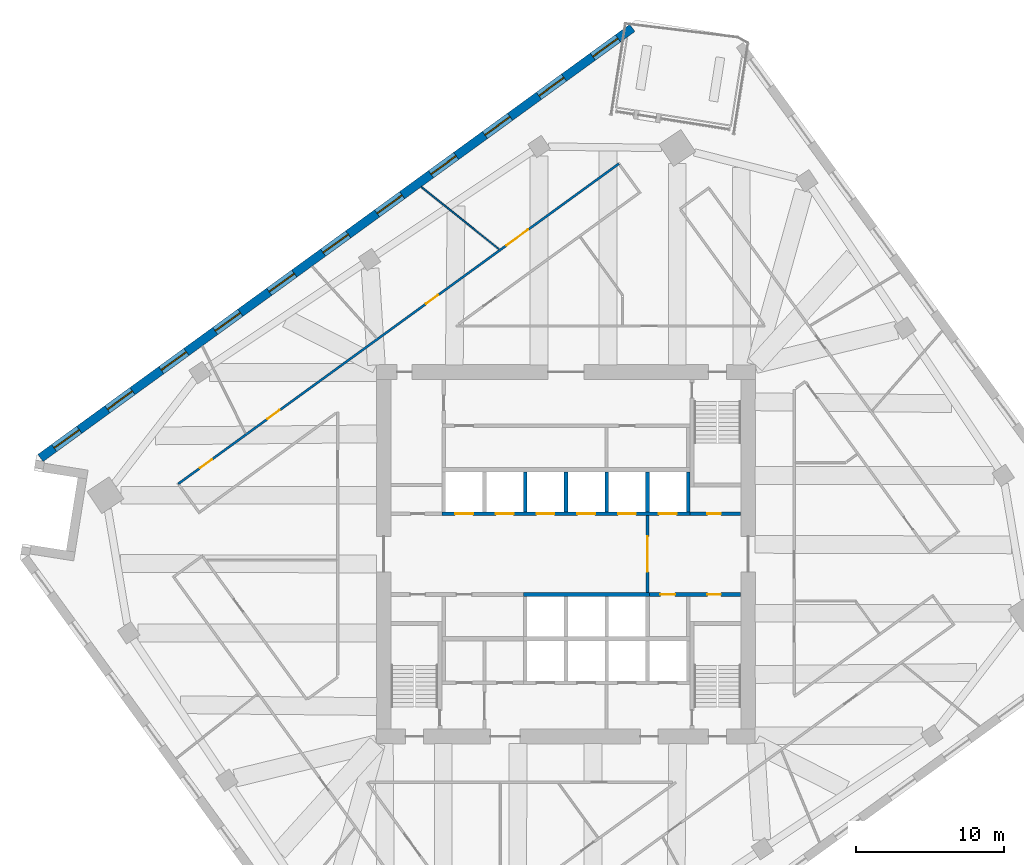
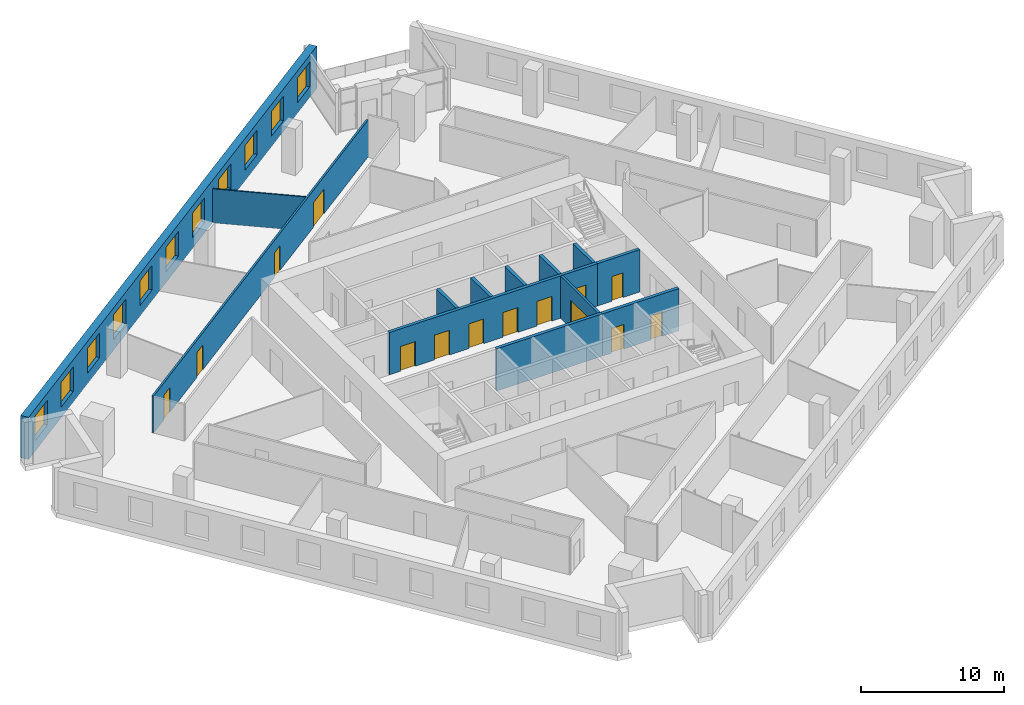
# One storey, part 7 of 11: 14 doors, 13 walls, 11 windows, 25 openings.
"""IFC4 building model written with IfcOpenShell, lengths in metres."""

from ifc_helpers import new_model, si_unit, direction, frame, frame_2d, origin, place, context, subcontext, project, spatial, rectangle, extrude, material, layer, layer_set, type_object, element, fill, save


model = new_model("IFC4")

# Units and contexts
model_context = context("Model", 3, precision=1e-05, world=origin(), true_north=direction((0.0, 1.0)))
body_context = subcontext(model_context, "Body", "Model", "MODEL_VIEW")
ifc_project = project(units=[si_unit("LENGTHUNIT", "METRE"), si_unit("AREAUNIT", "SQUARE_METRE"), si_unit("VOLUMEUNIT", "CUBIC_METRE"), si_unit("PLANEANGLEUNIT", "RADIAN"), si_unit("MASSUNIT", "GRAM", prefix="KILO")], contexts=[model_context])

# Site, building, storey
site_placement = place(None, origin())
site = spatial("IfcSite", under=ifc_project, at=site_placement, CompositionType="ELEMENT")
building_placement = place(site_placement, origin())
building = spatial("IfcBuilding", under=site, at=building_placement, Name="Dilmun Exchange Tower", CompositionType="ELEMENT")
storey_placement = place(building_placement, frame((0.0, 0.0, 171.699951171875)))
storey = spatial("IfcBuildingStorey", under=building, at=storey_placement, Name="L40", CompositionType="ELEMENT", Elevation=171.699951171875)

# Wall, opening, door
ifc_material_1 = material(Name="Concrete C40/50", Category="concrete")
ifc_layer_1 = layer(ifc_material_1, 0.199951171875)
ifc_layer_set_1 = layer_set([ifc_layer_1], Name="Concrete C40/50")
wall_type_1 = type_object("IfcWallType", Name="Core partition wall 200", PredefinedType="PARTITIONING", material=ifc_layer_set_1)
wall_1_placement = place(storey_placement, frame((5.5, -2.594970703125, 0.0), z_axis=(0.0, 0.0, 1.0), x_axis=(0.0, 1.0, 0.0)))
wall_1 = element("IfcWall", 1, at=wall_1_placement, inside=storey, type_object=wall_type_1, Name="L40 core partition wall 11", PredefinedType="PARTITIONING", context=body_context, shape_type="SweptSolid", body=[
    extrude(rectangle(XDim=5.18994140625, YDim=0.199951171875, at=frame_2d((2.594970703125, 0.0))), origin(), (0.0, 0.0, 1.0), 3.60009765625),
])
opening_1_placement = place(wall_1_placement, frame((1.39501953125, 0.0, 0.0)))
opening_1 = element("IfcOpeningElement", 2, at=opening_1_placement, cuts=wall_1, Name="Opening CD1", PredefinedType="OPENING", context=body_context, shape_type="SweptSolid", body=[
    extrude(rectangle(XDim=2.39990234375, YDim=2.39990234375, at=frame_2d((1.199951171875, 1.199951171875))), frame((0.0, 0.10986328125, 0.0), z_axis=(0.0, -1.0, 0.0), x_axis=(1.0, 0.0, 0.0)), (0.0, 0.0, 1.0), 0.219970703125),
])
ifc_material_2 = material(Name="Fire-rated steel door set", Category="steel")
door_type_1 = type_object("IfcDoorType", Name="Core lobby door 2400x2400", OperationType="DOUBLE_DOOR_DOUBLE_SWING", PredefinedType="DOOR", material=ifc_material_2)
door_1_placement = place(opening_1_placement, origin())
door_1 = element("IfcDoor", 3, at=door_1_placement, inside=storey, type_object=door_type_1, Name="L40 door Lift lobby east", OperationType="SINGLE_SWING_LEFT", OverallHeight=2.39990234375, OverallWidth=2.39990234375, PredefinedType="DOOR", context=body_context, shape_type="SweptSolid", body=[
    extrude(rectangle(XDim=2.39990234375, YDim=2.39990234375, at=frame_2d((1.199951171875, 1.199951171875))), frame((0.0, 0.02490234375, 0.0), z_axis=(0.0, -1.0, 0.0), x_axis=(1.0, 0.0, 0.0)), (0.0, 0.0, 1.0), 0.050048828125),
])
fill(opening_1, door_1)

# Wall, openings, doors
ifc_layer_2 = layer(ifc_material_1, 0.25)
ifc_layer_set_2 = layer_set([ifc_layer_2], Name="Concrete C40/50")
wall_type_2 = type_object("IfcWallType", Name="Core partition wall 250", PredefinedType="PARTITIONING", material=ifc_layer_set_2)
wall_2_placement = place(storey_placement, frame((5.6298828125, -2.72509765625, 0.0), z_axis=(0.0, 0.0, 1.0), x_axis=(1.0, 0.0, 0.0)))
wall_2 = element("IfcWall", 4, at=wall_2_placement, inside=storey, type_object=wall_type_2, Name="L40 core partition wall 10", PredefinedType="PARTITIONING", context=body_context, shape_type="SweptSolid", body=[
    extrude(rectangle(XDim=6.1650390625, YDim=0.25, at=frame_2d((3.08251953125, 0.0))), origin(), (0.0, 0.0, 1.0), 3.60009765625),
])
opening_2_placement = place(wall_2_placement, frame((0.7451171875, 0.0, 0.0)))
opening_2 = element("IfcOpeningElement", 5, at=opening_2_placement, cuts=wall_2, Name="Opening CD4", PredefinedType="OPENING", context=body_context, shape_type="SweptSolid", body=[
    extrude(rectangle(XDim=1.0, YDim=2.10009765625, at=frame_2d((0.5, 1.050048828125))), frame((0.0, 0.135009765625, 0.0), z_axis=(0.0, -1.0, 0.0), x_axis=(1.0, 0.0, 0.0)), (0.0, 0.0, 1.0), 0.27001953125),
])
opening_3_placement = place(wall_2_placement, frame((3.919921875, 0.0, 0.0)))
opening_3 = element("IfcOpeningElement", 6, at=opening_3_placement, cuts=wall_2, Name="Opening CD6", PredefinedType="OPENING", context=body_context, shape_type="SweptSolid", body=[
    extrude(rectangle(XDim=0.89990234375, YDim=2.10009765625, at=frame_2d((0.449951171875, 1.050048828125))), frame((0.0, 0.135009765625, 0.0), z_axis=(0.0, -1.0, 0.0), x_axis=(1.0, 0.0, 0.0)), (0.0, 0.0, 1.0), 0.27001953125),
])
door_type_2 = type_object("IfcDoorType", Name="Core room door 1000x2100", OperationType="SINGLE_SWING_LEFT", PredefinedType="DOOR", material=ifc_material_2)
door_2_placement = place(opening_2_placement, origin())
door_2 = element("IfcDoor", 7, at=door_2_placement, inside=storey, type_object=door_type_2, Name="L40 door Cleaners' store", OperationType="SINGLE_SWING_LEFT", OverallHeight=2.10009765625, OverallWidth=1.0, PredefinedType="DOOR", context=body_context, shape_type="SweptSolid", body=[
    extrude(rectangle(XDim=1.0, YDim=2.10009765625, at=frame_2d((0.5, 1.050048828125))), frame((0.0, 0.02490234375, 0.0), z_axis=(0.0, -1.0, 0.0), x_axis=(1.0, 0.0, 0.0)), (0.0, 0.0, 1.0), 0.050048828125),
])
fill(opening_2, door_2)
door_type_3 = type_object("IfcDoorType", Name="Core room door 900x2100", OperationType="SINGLE_SWING_LEFT", PredefinedType="DOOR", material=ifc_material_2)
door_3_placement = place(opening_3_placement, origin())
door_3 = element("IfcDoor", 8, at=door_3_placement, inside=storey, type_object=door_type_3, Name="L40 door Comms riser", OperationType="SINGLE_SWING_LEFT", OverallHeight=2.10009765625, OverallWidth=0.89990234375, PredefinedType="DOOR", context=body_context, shape_type="SweptSolid", body=[
    extrude(rectangle(XDim=0.89990234375, YDim=2.10009765625, at=frame_2d((0.449951171875, 1.050048828125))), frame((0.0, 0.02490234375, 0.0), z_axis=(0.0, -1.0, 0.0), x_axis=(1.0, 0.0, 0.0)), (0.0, 0.0, 1.0), 0.050048828125),
])
fill(opening_3, door_3)

# Wall, opening, door
wall_3_placement = place(storey_placement, frame((8.3798828125, 2.72509765625, 0.0), z_axis=(0.0, 0.0, 1.0), x_axis=(1.0, 0.0, 0.0)))
wall_3 = element("IfcWall", 9, at=wall_3_placement, inside=storey, type_object=wall_type_2, Name="L40 core partition wall 13", PredefinedType="PARTITIONING", context=body_context, shape_type="SweptSolid", body=[
    extrude(rectangle(XDim=3.4150390625, YDim=0.25, at=frame_2d((1.70751953125, 0.0))), origin(), (0.0, 0.0, 1.0), 3.60009765625),
])
opening_4_placement = place(wall_3_placement, frame((1.169921875, 0.0, 0.0)))
opening_4 = element("IfcOpeningElement", 10, at=opening_4_placement, cuts=wall_3, Name="Opening CD6", PredefinedType="OPENING", context=body_context, shape_type="SweptSolid", body=[
    extrude(rectangle(XDim=0.89990234375, YDim=2.10009765625, at=frame_2d((0.449951171875, 1.050048828125))), frame((0.0, 0.135009765625, 0.0), z_axis=(0.0, -1.0, 0.0), x_axis=(1.0, 0.0, 0.0)), (0.0, 0.0, 1.0), 0.27001953125),
])
door_4_placement = place(opening_4_placement, origin())
door_4 = element("IfcDoor", 11, at=door_4_placement, inside=storey, type_object=door_type_3, Name="L40 door Electrical riser", OperationType="SINGLE_SWING_LEFT", OverallHeight=2.10009765625, OverallWidth=0.89990234375, PredefinedType="DOOR", context=body_context, shape_type="SweptSolid", body=[
    extrude(rectangle(XDim=0.89990234375, YDim=2.10009765625, at=frame_2d((0.449951171875, 1.050048828125))), frame((0.0, 0.02490234375, 0.0), z_axis=(0.0, -1.0, 0.0), x_axis=(1.0, 0.0, 0.0)), (0.0, 0.0, 1.0), 0.050048828125),
])
fill(opening_4, door_4)

# Wall, openings, doors
ifc_material_3 = material(Name="Corridor wall 150")
ifc_layer_3 = layer(ifc_material_3, 0.14990234375)
ifc_layer_set_3 = layer_set([ifc_layer_3], Name="Corridor wall 150")
wall_type_3 = type_object("IfcWallType", Name="Corridor wall 150", PredefinedType="PARTITIONING", material=ifc_layer_set_3)
wall_4_placement = place(storey_placement, frame((-26.166015625, 4.7490234375, 0.0), z_axis=(0.0, 0.0, 1.0), x_axis=(0.809023795939, 0.587775890628, 0.0)))
wall_4 = element("IfcWall", 12, at=wall_4_placement, inside=storey, type_object=wall_type_3, Name="Corridor wall", PredefinedType="PARTITIONING", context=body_context, shape_type="SweptSolid", body=[
    extrude(rectangle(XDim=36.755615234375, YDim=0.14990234375, at=frame_2d((18.3779296875, 0.0))), origin(), (0.0, 0.0, 1.0), 3.150146484375),
])
opening_5_placement = place(wall_4_placement, frame((1.800048828125, 0.0, 0.0)))
opening_5 = element("IfcOpeningElement", 13, at=opening_5_placement, cuts=wall_4, Name="Opening TF38-D02", PredefinedType="OPENING", context=body_context, shape_type="SweptSolid", body=[
    extrude(rectangle(XDim=1.0, YDim=2.10009765625, at=frame_2d((0.5, 1.050048828125))), frame((0.0, 0.0849609375, 0.0), z_axis=(0.0, -1.0, 0.0), x_axis=(1.0, 0.0, 0.0)), (0.0, 0.0, 1.0), 0.169921875),
])
opening_6_placement = place(wall_4_placement, frame((7.453369140625, 0.0, 0.0)))
opening_6 = element("IfcOpeningElement", 14, at=opening_6_placement, cuts=wall_4, Name="Opening TF38-D04", PredefinedType="OPENING", context=body_context, shape_type="SweptSolid", body=[
    extrude(rectangle(XDim=1.0, YDim=2.10009765625, at=frame_2d((0.5, 1.050048828125))), frame((0.0, 0.0849609375, 0.0), z_axis=(0.0, -1.0, 0.0), x_axis=(1.0, 0.0, 0.0)), (0.0, 0.0, 1.0), 0.169921875),
])
opening_7_placement = place(wall_4_placement, frame((20.670654296875, 0.0, 0.0)))
opening_7 = element("IfcOpeningElement", 15, at=opening_7_placement, cuts=wall_4, Name="Opening TF38-D06", PredefinedType="OPENING", context=body_context, shape_type="SweptSolid", body=[
    extrude(rectangle(XDim=1.0, YDim=2.10009765625, at=frame_2d((0.5, 1.050048828125))), frame((0.0, 0.0849609375, 0.0), z_axis=(0.0, -1.0, 0.0), x_axis=(1.0, 0.0, 0.0)), (0.0, 0.0, 1.0), 0.169921875),
])
opening_8_placement = place(wall_4_placement, frame((27.3818359375, 0.0, 0.0)))
opening_8 = element("IfcOpeningElement", 16, at=opening_8_placement, cuts=wall_4, Name="Opening TF38-D13", PredefinedType="OPENING", context=body_context, shape_type="SweptSolid", body=[
    extrude(rectangle(XDim=1.800048828125, YDim=2.10009765625, at=frame_2d((0.89990234375, 1.050048828125))), frame((0.0, 0.0849609375, 0.0), z_axis=(0.0, -1.0, 0.0), x_axis=(1.0, 0.0, 0.0)), (0.0, 0.0, 1.0), 0.169921875),
])
ifc_material_4 = material(Name="Fire door 1000 x 2100")
door_type_4 = type_object("IfcDoorType", Name="Fire door 1000 x 2100", OperationType="NOTDEFINED", PredefinedType="DOOR", material=ifc_material_4)
door_5_placement = place(opening_5_placement, origin())
door_5 = element("IfcDoor", 17, at=door_5_placement, inside=storey, type_object=door_type_4, Name="Door TF38-D02", OperationType="SINGLE_SWING_RIGHT", OverallHeight=2.10009765625, OverallWidth=1.0, PredefinedType="DOOR", context=body_context, shape_type="SweptSolid", body=[
    extrude(rectangle(XDim=1.0, YDim=2.10009765625, at=frame_2d((0.5, 1.050048828125))), frame((0.0, 0.02490234375, 0.0), z_axis=(0.0, -1.0, 0.0), x_axis=(1.0, 0.0, 0.0)), (0.0, 0.0, 1.0), 0.050048828125),
])
fill(opening_5, door_5)
door_6_placement = place(opening_6_placement, origin())
door_6 = element("IfcDoor", 18, at=door_6_placement, inside=storey, type_object=door_type_4, Name="Door TF38-D04", OperationType="SINGLE_SWING_LEFT", OverallHeight=2.10009765625, OverallWidth=1.0, PredefinedType="DOOR", context=body_context, shape_type="SweptSolid", body=[
    extrude(rectangle(XDim=1.0, YDim=2.10009765625, at=frame_2d((0.5, 1.050048828125))), frame((0.0, 0.02490234375, 0.0), z_axis=(0.0, -1.0, 0.0), x_axis=(1.0, 0.0, 0.0)), (0.0, 0.0, 1.0), 0.050048828125),
])
fill(opening_6, door_6)
door_7_placement = place(opening_7_placement, origin())
door_7 = element("IfcDoor", 19, at=door_7_placement, inside=storey, type_object=door_type_4, Name="Door TF38-D06", OperationType="SINGLE_SWING_LEFT", OverallHeight=2.10009765625, OverallWidth=1.0, PredefinedType="DOOR", context=body_context, shape_type="SweptSolid", body=[
    extrude(rectangle(XDim=1.0, YDim=2.10009765625, at=frame_2d((0.5, 1.050048828125))), frame((0.0, 0.02490234375, 0.0), z_axis=(0.0, -1.0, 0.0), x_axis=(1.0, 0.0, 0.0)), (0.0, 0.0, 1.0), 0.050048828125),
])
fill(opening_7, door_7)
ifc_material_5 = material(Name="Fire door pair 1800 x 2100")
door_type_5 = type_object("IfcDoorType", Name="Fire door pair 1800 x 2100", OperationType="NOTDEFINED", PredefinedType="DOOR", material=ifc_material_5)
door_8_placement = place(opening_8_placement, origin())
door_8 = element("IfcDoor", 20, at=door_8_placement, inside=storey, type_object=door_type_5, Name="Door TF38-D13", OperationType="DOUBLE_DOOR_SINGLE_SWING", OverallHeight=2.10009765625, OverallWidth=1.800048828125, PredefinedType="DOOR", context=body_context, shape_type="SweptSolid", body=[
    extrude(rectangle(XDim=1.800048828125, YDim=2.10009765625, at=frame_2d((0.89990234375, 1.050048828125))), frame((0.0, 0.02490234375, 0.0), z_axis=(0.0, -1.0, 0.0), x_axis=(1.0, 0.0, 0.0)), (0.0, 0.0, 1.0), 0.050048828125),
])
fill(opening_8, door_8)

ifc_layer_4 = layer(ifc_material_1, 0.25)
ifc_layer_set_4 = layer_set([ifc_layer_4], Name="Concrete C40/50")
wall_type_4 = type_object("IfcWallType", Name="Lift shaft wall 250", PredefinedType="SOLIDWALL", material=ifc_layer_set_4)
wall_5_placement = place(storey_placement, frame((-8.375, 2.72509765625, 0.0), z_axis=(0.0, 0.0, 1.0), x_axis=(1.0, 0.0, 0.0)))
wall_5 = element("IfcWall", 21, at=wall_5_placement, inside=storey, type_object=wall_type_4, Name="L40 lift shaft front wall N1", PredefinedType="SOLIDWALL", context=body_context, shape_type="SweptSolid", body=[
    extrude(rectangle(XDim=16.75, YDim=0.25, at=frame_2d((8.375, 0.0))), origin(), (0.0, 0.0, 1.0), 3.60009765625),
])
opening_9_placement = place(wall_5_placement, frame((0.89990234375, 0.0, 0.0)))
opening_9 = element("IfcOpeningElement", 22, at=opening_9_placement, cuts=wall_5, Name="Opening LD", PredefinedType="OPENING", context=body_context, shape_type="SweptSolid", body=[
    extrude(rectangle(XDim=1.199951171875, YDim=2.10009765625, at=frame_2d((0.60009765625, 1.050048828125))), frame((0.0, 0.135009765625, 0.0), z_axis=(0.0, -1.0, 0.0), x_axis=(1.0, 0.0, 0.0)), (0.0, 0.0, 1.0), 0.27001953125),
])
opening_10_placement = place(wall_5_placement, frame((3.64990234375, 0.0, 0.0)))
opening_10 = element("IfcOpeningElement", 23, at=opening_10_placement, cuts=wall_5, Name="Opening LD", PredefinedType="OPENING", context=body_context, shape_type="SweptSolid", body=[
    extrude(rectangle(XDim=1.199951171875, YDim=2.10009765625, at=frame_2d((0.60009765625, 1.050048828125))), frame((0.0, 0.135009765625, 0.0), z_axis=(0.0, -1.0, 0.0), x_axis=(1.0, 0.0, 0.0)), (0.0, 0.0, 1.0), 0.27001953125),
])
opening_11_placement = place(wall_5_placement, frame((6.39990234375, 0.0, 0.0)))
opening_11 = element("IfcOpeningElement", 24, at=opening_11_placement, cuts=wall_5, Name="Opening LD", PredefinedType="OPENING", context=body_context, shape_type="SweptSolid", body=[
    extrude(rectangle(XDim=1.199951171875, YDim=2.10009765625, at=frame_2d((0.60009765625, 1.050048828125))), frame((0.0, 0.135009765625, 0.0), z_axis=(0.0, -1.0, 0.0), x_axis=(1.0, 0.0, 0.0)), (0.0, 0.0, 1.0), 0.27001953125),
])
opening_12_placement = place(wall_5_placement, frame((9.14990234375, 0.0, 0.0)))
opening_12 = element("IfcOpeningElement", 25, at=opening_12_placement, cuts=wall_5, Name="Opening LD", PredefinedType="OPENING", context=body_context, shape_type="SweptSolid", body=[
    extrude(rectangle(XDim=1.199951171875, YDim=2.10009765625, at=frame_2d((0.60009765625, 1.050048828125))), frame((0.0, 0.135009765625, 0.0), z_axis=(0.0, -1.0, 0.0), x_axis=(1.0, 0.0, 0.0)), (0.0, 0.0, 1.0), 0.27001953125),
])
opening_13_placement = place(wall_5_placement, frame((11.89990234375, 0.0, 0.0)))
opening_13 = element("IfcOpeningElement", 26, at=opening_13_placement, cuts=wall_5, Name="Opening LD", PredefinedType="OPENING", context=body_context, shape_type="SweptSolid", body=[
    extrude(rectangle(XDim=1.199951171875, YDim=2.10009765625, at=frame_2d((0.60009765625, 1.050048828125))), frame((0.0, 0.135009765625, 0.0), z_axis=(0.0, -1.0, 0.0), x_axis=(1.0, 0.0, 0.0)), (0.0, 0.0, 1.0), 0.27001953125),
])
opening_14_placement = place(wall_5_placement, frame((14.64990234375, 0.0, 0.0)))
opening_14 = element("IfcOpeningElement", 27, at=opening_14_placement, cuts=wall_5, Name="Opening LD", PredefinedType="OPENING", context=body_context, shape_type="SweptSolid", body=[
    extrude(rectangle(XDim=1.199951171875, YDim=2.10009765625, at=frame_2d((0.60009765625, 1.050048828125))), frame((0.0, 0.135009765625, 0.0), z_axis=(0.0, -1.0, 0.0), x_axis=(1.0, 0.0, 0.0)), (0.0, 0.0, 1.0), 0.27001953125),
])
door_type_6 = type_object("IfcDoorType", Name="Lift landing door 1200x2100", OperationType="DOUBLE_DOOR_SLIDING", PredefinedType="DOOR", material=ifc_material_2)
door_9_placement = place(opening_9_placement, origin())
door_9 = element("IfcDoor", 28, at=door_9_placement, inside=storey, type_object=door_type_6, Name="L40 landing door MR1", OperationType="DOUBLE_DOOR_SLIDING", OverallHeight=2.10009765625, OverallWidth=1.199951171875, PredefinedType="DOOR", context=body_context, shape_type="SweptSolid", body=[
    extrude(rectangle(XDim=1.199951171875, YDim=2.10009765625, at=frame_2d((0.60009765625, 1.050048828125))), frame((0.0, 0.02490234375, 0.0), z_axis=(0.0, -1.0, 0.0), x_axis=(1.0, 0.0, 0.0)), (0.0, 0.0, 1.0), 0.050048828125),
])
fill(opening_9, door_9)
door_10_placement = place(opening_10_placement, origin())
door_10 = element("IfcDoor", 29, at=door_10_placement, inside=storey, type_object=door_type_6, Name="L40 landing door MR2", OperationType="DOUBLE_DOOR_SLIDING", OverallHeight=2.10009765625, OverallWidth=1.199951171875, PredefinedType="DOOR", context=body_context, shape_type="SweptSolid", body=[
    extrude(rectangle(XDim=1.199951171875, YDim=2.10009765625, at=frame_2d((0.60009765625, 1.050048828125))), frame((0.0, 0.02490234375, 0.0), z_axis=(0.0, -1.0, 0.0), x_axis=(1.0, 0.0, 0.0)), (0.0, 0.0, 1.0), 0.050048828125),
])
fill(opening_10, door_10)
door_11_placement = place(opening_11_placement, origin())
door_11 = element("IfcDoor", 30, at=door_11_placement, inside=storey, type_object=door_type_6, Name="L40 landing door MR3", OperationType="DOUBLE_DOOR_SLIDING", OverallHeight=2.10009765625, OverallWidth=1.199951171875, PredefinedType="DOOR", context=body_context, shape_type="SweptSolid", body=[
    extrude(rectangle(XDim=1.199951171875, YDim=2.10009765625, at=frame_2d((0.60009765625, 1.050048828125))), frame((0.0, 0.02490234375, 0.0), z_axis=(0.0, -1.0, 0.0), x_axis=(1.0, 0.0, 0.0)), (0.0, 0.0, 1.0), 0.050048828125),
])
fill(opening_11, door_11)
door_12_placement = place(opening_12_placement, origin())
door_12 = element("IfcDoor", 31, at=door_12_placement, inside=storey, type_object=door_type_6, Name="L40 landing door MR4", OperationType="DOUBLE_DOOR_SLIDING", OverallHeight=2.10009765625, OverallWidth=1.199951171875, PredefinedType="DOOR", context=body_context, shape_type="SweptSolid", body=[
    extrude(rectangle(XDim=1.199951171875, YDim=2.10009765625, at=frame_2d((0.60009765625, 1.050048828125))), frame((0.0, 0.02490234375, 0.0), z_axis=(0.0, -1.0, 0.0), x_axis=(1.0, 0.0, 0.0)), (0.0, 0.0, 1.0), 0.050048828125),
])
fill(opening_12, door_12)
door_13_placement = place(opening_13_placement, origin())
door_13 = element("IfcDoor", 32, at=door_13_placement, inside=storey, type_object=door_type_6, Name="L40 landing door MR5", OperationType="DOUBLE_DOOR_SLIDING", OverallHeight=2.10009765625, OverallWidth=1.199951171875, PredefinedType="DOOR", context=body_context, shape_type="SweptSolid", body=[
    extrude(rectangle(XDim=1.199951171875, YDim=2.10009765625, at=frame_2d((0.60009765625, 1.050048828125))), frame((0.0, 0.02490234375, 0.0), z_axis=(0.0, -1.0, 0.0), x_axis=(1.0, 0.0, 0.0)), (0.0, 0.0, 1.0), 0.050048828125),
])
fill(opening_13, door_13)
door_14_placement = place(opening_14_placement, origin())
door_14 = element("IfcDoor", 33, at=door_14_placement, inside=storey, type_object=door_type_6, Name="L40 landing door MR6", OperationType="DOUBLE_DOOR_SLIDING", OverallHeight=2.10009765625, OverallWidth=1.199951171875, PredefinedType="DOOR", context=body_context, shape_type="SweptSolid", body=[
    extrude(rectangle(XDim=1.199951171875, YDim=2.10009765625, at=frame_2d((0.60009765625, 1.050048828125))), frame((0.0, 0.02490234375, 0.0), z_axis=(0.0, -1.0, 0.0), x_axis=(1.0, 0.0, 0.0)), (0.0, 0.0, 1.0), 0.050048828125),
])
fill(opening_14, door_14)

# Walls
for number, where, z_axis, x_axis, name in (
    (34, (-2.75, 2.85009765625, 0.0), (0.0, 0.0, 1.0), (0.0, 1.0, 0.0), "L40 lift shaft divider N12"),
    (35, (0.0, 2.85009765625, 0.0), (0.0, 0.0, 1.0), (0.0, 1.0, 0.0), "L40 lift shaft divider N13"),
    (36, (2.75, 2.85009765625, 0.0), (0.0, 0.0, 1.0), (0.0, 1.0, 0.0), "L40 lift shaft divider N14"),
    (37, (5.5, 2.85009765625, 0.0), (0.0, 0.0, 1.0), (0.0, 1.0, 0.0), "L40 lift shaft divider N15"),
    (38, (8.25, 2.85009765625, 0.0), (0.0, 0.0, 1.0), (0.0, 1.0, 0.0), "L40 lift shaft divider N16"),
):
    element("IfcWall", number, at=place(storey_placement, frame(where, z_axis=z_axis, x_axis=x_axis)), inside=storey, type_object=wall_type_4, Name=name, PredefinedType="SOLIDWALL", context=body_context, shape_type="SweptSolid", body=[
        extrude(rectangle(XDim=2.699951171875, YDim=0.25, at=frame_2d((1.35009765625, 0.0))), origin(), (0.0, 0.0, 1.0), 3.60009765625),
    ])
wall_6_placement = place(storey_placement, frame((-2.875, -2.72509765625, 0.0), z_axis=(0.0, 0.0, 1.0), x_axis=(1.0, 0.0, 0.0)))
element("IfcWall", 39, at=wall_6_placement, inside=storey, type_object=wall_type_4, Name="L40 lift shaft front wall S1", PredefinedType="SOLIDWALL", context=body_context, shape_type="SweptSolid", body=[
    extrude(rectangle(XDim=8.5, YDim=0.25, at=frame_2d((4.25, 0.0))), origin(), (0.0, 0.0, 1.0), 3.60009765625),
])
ifc_material_6 = material(Name="Partition 100")
ifc_layer_5 = layer(ifc_material_6, 0.10009765625)
ifc_layer_set_5 = layer_set([ifc_layer_5], Name="Partition 100")
wall_type_5 = type_object("IfcWallType", Name="Partition 100", PredefinedType="PARTITIONING", material=ifc_layer_set_5)
wall_7_placement = place(storey_placement, frame((-9.773681640625, 24.787109375, 0.0), z_axis=(0.0, 0.0, 1.0), x_axis=(0.780787363182, -0.624796841778, 0.0)))
element("IfcWall", 40, at=wall_7_placement, inside=storey, type_object=wall_type_5, Name="Partition", PredefinedType="PARTITIONING", context=body_context, shape_type="SweptSolid", body=[
    extrude(rectangle(XDim=6.726806640625, YDim=0.10009765625, at=frame_2d((3.36328125, 0.0))), origin(), (0.0, 0.0, 1.0), 2.900146484375),
])

# Wall, openings, windows
ifc_material_7 = material(Name="Precast concrete C50/60", Category="concrete")
ifc_layer_6 = layer(ifc_material_7, 0.60009765625)
ifc_layer_set_6 = layer_set([ifc_layer_6], Name="Precast concrete C50/60")
wall_type_6 = type_object("IfcWallType", Name="Precast stone-clad wall 600", PredefinedType="STANDARD", material=ifc_layer_set_6)
wall_8_placement = place(storey_placement, frame((4.479736328125, 35.51611328125, 0.0), z_axis=(0.0, 0.0, 1.0), x_axis=(-0.809018017995, -0.587783843398, 0.0)))
wall_8 = element("IfcWall", 41, at=wall_8_placement, inside=storey, type_object=wall_type_6, Name="Facade wall L40-03", PredefinedType="STANDARD", context=body_context, shape_type="SweptSolid", body=[
    extrude(rectangle(XDim=49.375732421875, YDim=0.60009765625, at=frame_2d((24.68798828125, 0.0))), origin(), (0.0, 0.0, 1.0), 3.60009765625),
])
opening_15_placement = place(wall_8_placement, frame((1.199951171875, 0.0, 0.89990234375)))
opening_15 = element("IfcOpeningElement", 42, at=opening_15_placement, cuts=wall_8, Name="Opening W210-210", PredefinedType="OPENING", context=body_context, shape_type="SweptSolid", body=[
    extrude(rectangle(XDim=2.10009765625, YDim=2.10009765625, at=frame_2d((1.050048828125, 1.050048828125))), frame((0.0, 0.31005859375, 0.0), z_axis=(0.0, -1.0, 0.0), x_axis=(1.0, 0.0, 0.0)), (0.0, 0.0, 1.0), 0.6201171875),
])
opening_16_placement = place(wall_8_placement, frame((5.699951171875, 0.0, 0.89990234375)))
opening_16 = element("IfcOpeningElement", 43, at=opening_16_placement, cuts=wall_8, Name="Opening W210-210", PredefinedType="OPENING", context=body_context, shape_type="SweptSolid", body=[
    extrude(rectangle(XDim=2.10009765625, YDim=2.10009765625, at=frame_2d((1.050048828125, 1.050048828125))), frame((0.0, 0.31005859375, 0.0), z_axis=(0.0, -1.0, 0.0), x_axis=(1.0, 0.0, 0.0)), (0.0, 0.0, 1.0), 0.6201171875),
])
opening_17_placement = place(wall_8_placement, frame((10.199951171875, 0.0, 0.89990234375)))
opening_17 = element("IfcOpeningElement", 44, at=opening_17_placement, cuts=wall_8, Name="Opening W210-210", PredefinedType="OPENING", context=body_context, shape_type="SweptSolid", body=[
    extrude(rectangle(XDim=2.10009765625, YDim=2.10009765625, at=frame_2d((1.050048828125, 1.050048828125))), frame((0.0, 0.31005859375, 0.0), z_axis=(0.0, -1.0, 0.0), x_axis=(1.0, 0.0, 0.0)), (0.0, 0.0, 1.0), 0.6201171875),
])
opening_18_placement = place(wall_8_placement, frame((14.699951171875, 0.0, 0.89990234375)))
opening_18 = element("IfcOpeningElement", 45, at=opening_18_placement, cuts=wall_8, Name="Opening W210-210", PredefinedType="OPENING", context=body_context, shape_type="SweptSolid", body=[
    extrude(rectangle(XDim=2.10009765625, YDim=2.10009765625, at=frame_2d((1.050048828125, 1.050048828125))), frame((0.0, 0.31005859375, 0.0), z_axis=(0.0, -1.0, 0.0), x_axis=(1.0, 0.0, 0.0)), (0.0, 0.0, 1.0), 0.6201171875),
])
opening_19_placement = place(wall_8_placement, frame((19.199951171875, 0.0, 0.89990234375)))
opening_19 = element("IfcOpeningElement", 46, at=opening_19_placement, cuts=wall_8, Name="Opening W210-210", PredefinedType="OPENING", context=body_context, shape_type="SweptSolid", body=[
    extrude(rectangle(XDim=2.10009765625, YDim=2.10009765625, at=frame_2d((1.050048828125, 1.050048828125))), frame((0.0, 0.31005859375, 0.0), z_axis=(0.0, -1.0, 0.0), x_axis=(1.0, 0.0, 0.0)), (0.0, 0.0, 1.0), 0.6201171875),
])
opening_20_placement = place(wall_8_placement, frame((23.699951171875, 0.0, 0.89990234375)))
opening_20 = element("IfcOpeningElement", 47, at=opening_20_placement, cuts=wall_8, Name="Opening W210-210", PredefinedType="OPENING", context=body_context, shape_type="SweptSolid", body=[
    extrude(rectangle(XDim=2.10009765625, YDim=2.10009765625, at=frame_2d((1.050048828125, 1.050048828125))), frame((0.0, 0.31005859375, 0.0), z_axis=(0.0, -1.0, 0.0), x_axis=(1.0, 0.0, 0.0)), (0.0, 0.0, 1.0), 0.6201171875),
])
opening_21_placement = place(wall_8_placement, frame((28.199951171875, 0.0, 0.89990234375)))
opening_21 = element("IfcOpeningElement", 48, at=opening_21_placement, cuts=wall_8, Name="Opening W210-210", PredefinedType="OPENING", context=body_context, shape_type="SweptSolid", body=[
    extrude(rectangle(XDim=2.10009765625, YDim=2.10009765625, at=frame_2d((1.050048828125, 1.050048828125))), frame((0.0, 0.31005859375, 0.0), z_axis=(0.0, -1.0, 0.0), x_axis=(1.0, 0.0, 0.0)), (0.0, 0.0, 1.0), 0.6201171875),
])
opening_22_placement = place(wall_8_placement, frame((32.699951171875, 0.0, 0.89990234375)))
opening_22 = element("IfcOpeningElement", 49, at=opening_22_placement, cuts=wall_8, Name="Opening W210-210", PredefinedType="OPENING", context=body_context, shape_type="SweptSolid", body=[
    extrude(rectangle(XDim=2.10009765625, YDim=2.10009765625, at=frame_2d((1.050048828125, 1.050048828125))), frame((0.0, 0.31005859375, 0.0), z_axis=(0.0, -1.0, 0.0), x_axis=(1.0, 0.0, 0.0)), (0.0, 0.0, 1.0), 0.6201171875),
])
opening_23_placement = place(wall_8_placement, frame((37.199951171875, 0.0, 0.89990234375)))
opening_23 = element("IfcOpeningElement", 50, at=opening_23_placement, cuts=wall_8, Name="Opening W210-210", PredefinedType="OPENING", context=body_context, shape_type="SweptSolid", body=[
    extrude(rectangle(XDim=2.10009765625, YDim=2.10009765625, at=frame_2d((1.050048828125, 1.050048828125))), frame((0.0, 0.31005859375, 0.0), z_axis=(0.0, -1.0, 0.0), x_axis=(1.0, 0.0, 0.0)), (0.0, 0.0, 1.0), 0.6201171875),
])
opening_24_placement = place(wall_8_placement, frame((41.699951171875, 0.0, 0.89990234375)))
opening_24 = element("IfcOpeningElement", 51, at=opening_24_placement, cuts=wall_8, Name="Opening W210-210", PredefinedType="OPENING", context=body_context, shape_type="SweptSolid", body=[
    extrude(rectangle(XDim=2.10009765625, YDim=2.10009765625, at=frame_2d((1.050048828125, 1.050048828125))), frame((0.0, 0.31005859375, 0.0), z_axis=(0.0, -1.0, 0.0), x_axis=(1.0, 0.0, 0.0)), (0.0, 0.0, 1.0), 0.6201171875),
])
opening_25_placement = place(wall_8_placement, frame((46.137939453125, 0.0, 0.89990234375)))
opening_25 = element("IfcOpeningElement", 52, at=opening_25_placement, cuts=wall_8, Name="Opening W210-210", PredefinedType="OPENING", context=body_context, shape_type="SweptSolid", body=[
    extrude(rectangle(XDim=2.10009765625, YDim=2.10009765625, at=frame_2d((1.050048828125, 1.050048828125))), frame((0.0, 0.31005859375, 0.0), z_axis=(0.0, -1.0, 0.0), x_axis=(1.0, 0.0, 0.0)), (0.0, 0.0, 1.0), 0.6201171875),
])
ifc_material_8 = material(Name="Clear low-emissivity glass in aluminium frame", Category="aluminium")
window_type = type_object("IfcWindowType", Name="Punched window 2100 x 2100", PartitioningType="DOUBLE_PANEL_VERTICAL", PredefinedType="WINDOW", material=ifc_material_8)
window_1_placement = place(opening_15_placement, origin())
window_1 = element("IfcWindow", 53, at=window_1_placement, inside=storey, type_object=window_type, Name="Window 4.1", OverallHeight=2.10009765625, OverallWidth=2.10009765625, PartitioningType="SINGLE_PANEL", PredefinedType="WINDOW", context=body_context, shape_type="SweptSolid", body=[
    extrude(rectangle(XDim=2.10009765625, YDim=2.10009765625, at=frame_2d((1.050048828125, 1.050048828125))), frame((0.0, 0.030029296875, 0.0), z_axis=(0.0, -1.0, 0.0), x_axis=(1.0, 0.0, 0.0)), (0.0, 0.0, 1.0), 0.06005859375),
])
fill(opening_15, window_1)
window_2_placement = place(opening_16_placement, origin())
window_2 = element("IfcWindow", 54, at=window_2_placement, inside=storey, type_object=window_type, Name="Window 4.2", OverallHeight=2.10009765625, OverallWidth=2.10009765625, PartitioningType="SINGLE_PANEL", PredefinedType="WINDOW", context=body_context, shape_type="SweptSolid", body=[
    extrude(rectangle(XDim=2.10009765625, YDim=2.10009765625, at=frame_2d((1.050048828125, 1.050048828125))), frame((0.0, 0.030029296875, 0.0), z_axis=(0.0, -1.0, 0.0), x_axis=(1.0, 0.0, 0.0)), (0.0, 0.0, 1.0), 0.06005859375),
])
fill(opening_16, window_2)
window_3_placement = place(opening_17_placement, origin())
window_3 = element("IfcWindow", 55, at=window_3_placement, inside=storey, type_object=window_type, Name="Window 4.3", OverallHeight=2.10009765625, OverallWidth=2.10009765625, PartitioningType="SINGLE_PANEL", PredefinedType="WINDOW", context=body_context, shape_type="SweptSolid", body=[
    extrude(rectangle(XDim=2.10009765625, YDim=2.10009765625, at=frame_2d((1.050048828125, 1.050048828125))), frame((0.0, 0.030029296875, 0.0), z_axis=(0.0, -1.0, 0.0), x_axis=(1.0, 0.0, 0.0)), (0.0, 0.0, 1.0), 0.06005859375),
])
fill(opening_17, window_3)
window_4_placement = place(opening_18_placement, origin())
window_4 = element("IfcWindow", 56, at=window_4_placement, inside=storey, type_object=window_type, Name="Window 4.4", OverallHeight=2.10009765625, OverallWidth=2.10009765625, PartitioningType="SINGLE_PANEL", PredefinedType="WINDOW", context=body_context, shape_type="SweptSolid", body=[
    extrude(rectangle(XDim=2.10009765625, YDim=2.10009765625, at=frame_2d((1.050048828125, 1.050048828125))), frame((0.0, 0.030029296875, 0.0), z_axis=(0.0, -1.0, 0.0), x_axis=(1.0, 0.0, 0.0)), (0.0, 0.0, 1.0), 0.06005859375),
])
fill(opening_18, window_4)
window_5_placement = place(opening_19_placement, origin())
window_5 = element("IfcWindow", 57, at=window_5_placement, inside=storey, type_object=window_type, Name="Window 4.5", OverallHeight=2.10009765625, OverallWidth=2.10009765625, PartitioningType="SINGLE_PANEL", PredefinedType="WINDOW", context=body_context, shape_type="SweptSolid", body=[
    extrude(rectangle(XDim=2.10009765625, YDim=2.10009765625, at=frame_2d((1.050048828125, 1.050048828125))), frame((0.0, 0.030029296875, 0.0), z_axis=(0.0, -1.0, 0.0), x_axis=(1.0, 0.0, 0.0)), (0.0, 0.0, 1.0), 0.06005859375),
])
fill(opening_19, window_5)
window_6_placement = place(opening_20_placement, origin())
window_6 = element("IfcWindow", 58, at=window_6_placement, inside=storey, type_object=window_type, Name="Window 4.6", OverallHeight=2.10009765625, OverallWidth=2.10009765625, PartitioningType="SINGLE_PANEL", PredefinedType="WINDOW", context=body_context, shape_type="SweptSolid", body=[
    extrude(rectangle(XDim=2.10009765625, YDim=2.10009765625, at=frame_2d((1.050048828125, 1.050048828125))), frame((0.0, 0.030029296875, 0.0), z_axis=(0.0, -1.0, 0.0), x_axis=(1.0, 0.0, 0.0)), (0.0, 0.0, 1.0), 0.06005859375),
])
fill(opening_20, window_6)
window_7_placement = place(opening_21_placement, origin())
window_7 = element("IfcWindow", 59, at=window_7_placement, inside=storey, type_object=window_type, Name="Window 4.7", OverallHeight=2.10009765625, OverallWidth=2.10009765625, PartitioningType="SINGLE_PANEL", PredefinedType="WINDOW", context=body_context, shape_type="SweptSolid", body=[
    extrude(rectangle(XDim=2.10009765625, YDim=2.10009765625, at=frame_2d((1.050048828125, 1.050048828125))), frame((0.0, 0.030029296875, 0.0), z_axis=(0.0, -1.0, 0.0), x_axis=(1.0, 0.0, 0.0)), (0.0, 0.0, 1.0), 0.06005859375),
])
fill(opening_21, window_7)
window_8_placement = place(opening_22_placement, origin())
window_8 = element("IfcWindow", 60, at=window_8_placement, inside=storey, type_object=window_type, Name="Window 4.8", OverallHeight=2.10009765625, OverallWidth=2.10009765625, PartitioningType="SINGLE_PANEL", PredefinedType="WINDOW", context=body_context, shape_type="SweptSolid", body=[
    extrude(rectangle(XDim=2.10009765625, YDim=2.10009765625, at=frame_2d((1.050048828125, 1.050048828125))), frame((0.0, 0.030029296875, 0.0), z_axis=(0.0, -1.0, 0.0), x_axis=(1.0, 0.0, 0.0)), (0.0, 0.0, 1.0), 0.06005859375),
])
fill(opening_22, window_8)
window_9_placement = place(opening_23_placement, origin())
window_9 = element("IfcWindow", 61, at=window_9_placement, inside=storey, type_object=window_type, Name="Window 4.9", OverallHeight=2.10009765625, OverallWidth=2.10009765625, PartitioningType="SINGLE_PANEL", PredefinedType="WINDOW", context=body_context, shape_type="SweptSolid", body=[
    extrude(rectangle(XDim=2.10009765625, YDim=2.10009765625, at=frame_2d((1.050048828125, 1.050048828125))), frame((0.0, 0.030029296875, 0.0), z_axis=(0.0, -1.0, 0.0), x_axis=(1.0, 0.0, 0.0)), (0.0, 0.0, 1.0), 0.06005859375),
])
fill(opening_23, window_9)
window_10_placement = place(opening_24_placement, origin())
window_10 = element("IfcWindow", 62, at=window_10_placement, inside=storey, type_object=window_type, Name="Window 4.10", OverallHeight=2.10009765625, OverallWidth=2.10009765625, PartitioningType="SINGLE_PANEL", PredefinedType="WINDOW", context=body_context, shape_type="SweptSolid", body=[
    extrude(rectangle(XDim=2.10009765625, YDim=2.10009765625, at=frame_2d((1.050048828125, 1.050048828125))), frame((0.0, 0.030029296875, 0.0), z_axis=(0.0, -1.0, 0.0), x_axis=(1.0, 0.0, 0.0)), (0.0, 0.0, 1.0), 0.06005859375),
])
fill(opening_24, window_10)
window_11_placement = place(opening_25_placement, origin())
window_11 = element("IfcWindow", 63, at=window_11_placement, inside=storey, type_object=window_type, Name="Window 4.11", OverallHeight=2.10009765625, OverallWidth=2.10009765625, PartitioningType="SINGLE_PANEL", PredefinedType="WINDOW", context=body_context, shape_type="SweptSolid", body=[
    extrude(rectangle(XDim=2.10009765625, YDim=2.10009765625, at=frame_2d((1.050048828125, 1.050048828125))), frame((0.0, 0.030029296875, 0.0), z_axis=(0.0, -1.0, 0.0), x_axis=(1.0, 0.0, 0.0)), (0.0, 0.0, 1.0), 0.06005859375),
])
fill(opening_25, window_11)

save(model, "model.ifc")
